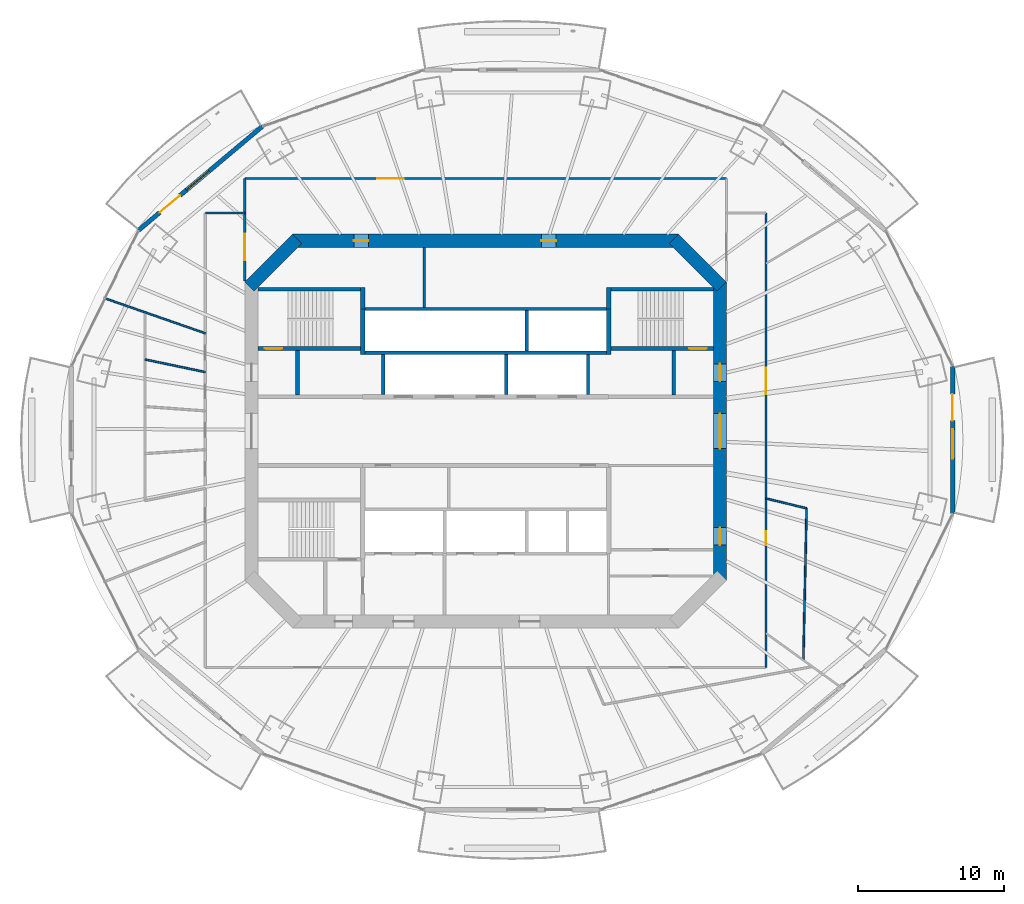
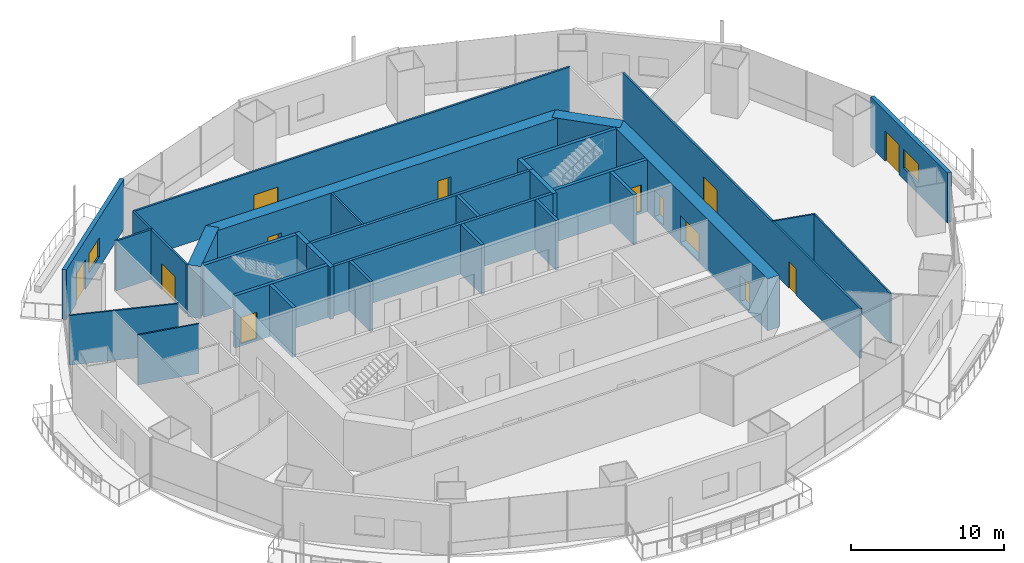
# One storey, part 12 of 19: 31 walls, 13 doors, 2 windows, 15 openings.
"""IFC4 building model written with IfcOpenShell, lengths in metres."""

import ifcopenshell
import ifcopenshell.guid

model = None  # the IFC model being written
_history = None  # IfcOwnerHistory: only IFC2X3 demands one
_inside = {}  # id of a spatial element -> (the spatial element, [elements in it])
_under = {}  # id of a project, library or spatial element -> (it, [spatial elements below it])
_declared = {}  # id of a project -> (the project, [libraries it declares])
_typed = {}  # id of a type object -> (the type object, [elements of that type])
_made_of = {}  # id of a material, layer set ... -> (it, [elements and type objects made of it])


def new_model(schema):
    """Start an empty IFC model of exactly this schema.

    Asked for "IFC4X3", IfcOpenShell would pick the latest addendum, in which some entities
    have other attributes; the version numbers below select the first issue.
    IFC2X3 requires an IfcOwnerHistory on every rooted entity: one is made here for all.
    """
    global model, _history
    if schema == "IFC4X3":
        model = ifcopenshell.file(schema_version=(4, 3, 0, 0))
    else:
        model = ifcopenshell.file(schema=schema)
    _inside.clear()
    _under.clear()
    _declared.clear()
    _typed.clear()
    _made_of.clear()
    _history = None
    if model.schema == "IFC2X3":
        org = make("IfcOrganization", Name="unknown")
        user = make(
            "IfcPersonAndOrganization",
            ThePerson=make("IfcPerson", FamilyName="unknown"),
            TheOrganization=org,
        )
        app = make(
            "IfcApplication",
            ApplicationDeveloper=org,
            Version="unknown",
            ApplicationFullName="unknown",
            ApplicationIdentifier="unknown",
        )
        _history = make(
            "IfcOwnerHistory",
            OwningUser=user,
            OwningApplication=app,
            ChangeAction="ADDED",
            CreationDate=0,
        )
    return model


def make(cls, **values):
    """One entity of the class cls with the attributes given. An attribute that is None is left unset."""
    return model.create_entity(
        cls, **{name: value for name, value in values.items() if value is not None}
    )


def rooted(cls, **values):
    """An entity with a GlobalId (a new one), such as an element, a storey or a relation."""
    return make(cls, GlobalId=ifcopenshell.guid.new(), OwnerHistory=_history, **values)


def si_unit(unit_type, name, prefix=None):
    """IfcSIUnit, for example si_unit("LENGTHUNIT", "METRE", prefix="MILLI")."""
    return make("IfcSIUnit", UnitType=unit_type, Prefix=prefix, Name=name)


def assignment(units):
    """IfcUnitAssignment: the units of a project."""
    return None if units is None else make("IfcUnitAssignment", Units=units)


def point(xyz):
    """IfcCartesianPoint."""
    return None if xyz is None else make("IfcCartesianPoint", Coordinates=xyz)


def direction(xyz):
    """IfcDirection."""
    return None if xyz is None else make("IfcDirection", DirectionRatios=xyz)


def frame(location, z_axis=None, x_axis=None):
    """IfcAxis2Placement3D, a coordinate frame: its origin and axes. An axis left out is left unset."""
    return make(
        "IfcAxis2Placement3D",
        Location=point(location),
        Axis=direction(z_axis),
        RefDirection=direction(x_axis),
    )


def frame_2d(location, x_axis=None):
    """IfcAxis2Placement2D, a coordinate frame in the plane: its origin and x axis."""
    return make(
        "IfcAxis2Placement2D", Location=point(location), RefDirection=direction(x_axis)
    )


def origin():
    """The frame at (0, 0, 0) with its axes left unset."""
    return frame((0.0, 0.0, 0.0))


def place(relative_to, where):
    """IfcLocalPlacement: puts the frame where relative to a parent placement (None: the world)."""
    return make(
        "IfcLocalPlacement", PlacementRelTo=relative_to, RelativePlacement=where
    )


def context(
    kind, dimensions, precision=None, world=None, true_north=None, identifier=None
):
    """IfcGeometricRepresentationContext, for example the 3D "Model" context."""
    return make(
        "IfcGeometricRepresentationContext",
        ContextIdentifier=identifier,
        ContextType=kind,
        CoordinateSpaceDimension=dimensions,
        Precision=precision,
        WorldCoordinateSystem=world,
        TrueNorth=true_north,
    )


def subcontext(parent, identifier, kind, view, scale=None):
    """IfcGeometricRepresentationSubContext, for example "Body" below "Model"."""
    return make(
        "IfcGeometricRepresentationSubContext",
        ContextIdentifier=identifier,
        ContextType=kind,
        ParentContext=parent,
        TargetScale=scale,
        TargetView=view,
    )


def project(units=None, contexts=None):
    """IfcProject with its units and contexts."""
    return rooted(
        "IfcProject",
        Name="project",
        RepresentationContexts=contexts,
        UnitsInContext=assignment(units),
    )


def spatial(cls, under=None, at=None, **own):
    """A site, building, storey or space (cls), placed at a placement, below another one or the project."""
    s = rooted(cls, ObjectPlacement=at, **own)
    if under is not None:
        _under.setdefault(under.id(), (under, []))[1].append(s)
    return s


def profile(cls, at=None, kind="AREA", **sizes):
    """A parametric profile (cls). Its sizes go by their IFC names, for example OverallWidth=200.0."""
    return make(cls, ProfileType=kind, Position=at, **sizes)


def rectangle(**sizes):
    """IfcRectangleProfileDef."""
    return profile("IfcRectangleProfileDef", **sizes)


def extrude(swept, where, along, depth):
    """IfcExtrudedAreaSolid: the profile swept, set in the frame where, extruded along a direction by depth."""
    return make(
        "IfcExtrudedAreaSolid",
        SweptArea=swept,
        Position=where,
        ExtrudedDirection=direction(along),
        Depth=depth,
    )


def shape(context_of_items, identifier, shape_type, items):
    """IfcShapeRepresentation: the items that make up one representation, for example the "Body"."""
    return make(
        "IfcShapeRepresentation",
        ContextOfItems=context_of_items,
        RepresentationIdentifier=identifier,
        RepresentationType=shape_type,
        Items=items,
    )


def material(Name=None, Category=None):
    """IfcMaterial."""
    return make("IfcMaterial", Name=Name, Category=Category)


def layer(
    of_material, thickness, ventilated=None, Name=None, Category=None, Priority=None
):
    """IfcMaterialLayer: one layer of a wall or slab, of a material (None: an air gap)."""
    return make(
        "IfcMaterialLayer",
        Material=of_material,
        LayerThickness=thickness,
        IsVentilated=ventilated,
        Name=Name,
        Category=Category,
        Priority=Priority,
    )


def layer_set(layers, Name=None):
    """IfcMaterialLayerSet."""
    return make("IfcMaterialLayerSet", MaterialLayers=layers, LayerSetName=Name)


def made_of(thing, what):
    """Note that an element or type object is made of a material, layer set ...; save() writes the relation."""
    if what is not None:
        _made_of.setdefault(what.id(), (what, []))[1].append(thing)
    return thing


def type_object(cls, material=None, **own):
    """A type object (cls), such as IfcWallType, which elements share."""
    return made_of(rooted(cls, **own), material)


def element(
    cls,
    number,
    at=None,
    inside=None,
    cuts=None,
    type_object=None,
    material=None,
    context=None,
    identifier="Body",
    shape_type=None,
    held_by="IfcProductDefinitionShape",
    body=None,
    shapes=None,
    **own,
):
    """One element of the class cls, such as IfcWall. Its Tag is "e" and its number.

    at: its placement. inside: the storey or other place that contains it. cuts: it is an
    opening in that element (IfcRelVoidsElement). A single representation is given by context,
    identifier, shape_type and body (its items); several are given by shapes. held_by: the class
    of the entity that holds the representations. save() writes the other relations.
    """
    e = rooted(cls, Tag="e%d" % number, ObjectPlacement=at, **own)
    if body is not None:
        shapes = [shape(context, identifier, shape_type, body)]
    if shapes is not None:
        e.Representation = make(held_by, Representations=shapes)
    if inside is not None:
        _inside.setdefault(inside.id(), (inside, []))[1].append(e)
    if cuts is not None:
        rooted(
            "IfcRelVoidsElement", RelatingBuildingElement=cuts, RelatedOpeningElement=e
        )
    if type_object is not None:
        _typed.setdefault(type_object.id(), (type_object, []))[1].append(e)
    return made_of(e, material)


def fill(opening, filler):
    """IfcRelFillsElement: the door or window that sits in an opening."""
    return rooted(
        "IfcRelFillsElement",
        RelatingOpeningElement=opening,
        RelatedBuildingElement=filler,
    )


def aggregate(whole, parts):
    """IfcRelAggregates: a whole, such as a stair, and the parts it consists of."""
    return rooted("IfcRelAggregates", RelatingObject=whole, RelatedObjects=parts)


def save(model, path):
    """Write the relations noted so far, then the file.

    IfcRelAggregates (storeys below a building ...), IfcRelContainedInSpatialStructure (elements
    in a storey), IfcRelDefinesByType, IfcRelAssociatesMaterial and IfcRelDeclares: one each for
    every whole, place, type object, material and project.
    """
    for whole, parts in _under.values():
        aggregate(whole, parts)
    for where, things in _inside.values():
        rooted(
            "IfcRelContainedInSpatialStructure",
            RelatedElements=things,
            RelatingStructure=where,
        )
    for kind, things in _typed.values():
        rooted("IfcRelDefinesByType", RelatedObjects=things, RelatingType=kind)
    for what, things in _made_of.values():
        rooted("IfcRelAssociatesMaterial", RelatedObjects=things, RelatingMaterial=what)
    for by, libraries in _declared.values():
        rooted("IfcRelDeclares", RelatingContext=by, RelatedDefinitions=libraries)
    model.write(path)


model = new_model("IFC4")

# Units and contexts
model_context = context("Model", 3, precision=1e-05, world=origin(), true_north=direction((0.0, 1.0)))
body_context = subcontext(model_context, "Body", "Model", "MODEL_VIEW")
ifc_project = project(units=[si_unit("LENGTHUNIT", "METRE"), si_unit("AREAUNIT", "SQUARE_METRE"), si_unit("VOLUMEUNIT", "CUBIC_METRE"), si_unit("PLANEANGLEUNIT", "RADIAN"), si_unit("MASSUNIT", "GRAM", prefix="KILO")], contexts=[model_context])

# Site, building, storey
site_placement = place(None, origin())
site = spatial("IfcSite", under=ifc_project, at=site_placement, CompositionType="ELEMENT")
building_placement = place(site_placement, origin())
building = spatial("IfcBuilding", under=site, at=building_placement, Name="Marenthal Gate Tower", CompositionType="ELEMENT")
storey_placement = place(building_placement, frame((0.0, 0.0, 223.300048828125)))
storey = spatial("IfcBuildingStorey", under=building, at=storey_placement, Name="L49", CompositionType="ELEMENT", Elevation=223.300048828125)

# Wall, openings, doors
ifc_material_1 = material(Name="Concrete 60 MPa", Category="concrete")
ifc_layer_1 = layer(ifc_material_1, 0.89990234375)
ifc_layer_set_1 = layer_set([ifc_layer_1], Name="Core shear wall 900")
wall_type_1 = type_object("IfcWallType", Name="Core shear wall 900", PredefinedType="SHEAR", material=ifc_layer_set_1)
wall_1_placement = place(storey_placement, frame((16.0, -10.186279296875, -0.179931640625), z_axis=(0.0, 0.0, 1.0), x_axis=(0.0, 1.0, 0.0)))
wall_1 = element("IfcWall", 1, at=wall_1_placement, inside=storey, type_object=wall_type_1, Name="Core wall 02", PredefinedType="SHEAR", context=body_context, shape_type="SweptSolid", body=[
    extrude(rectangle(XDim=20.37255859375, YDim=0.89990234375, at=frame_2d((10.186279296875, 0.0))), origin(), (0.0, 0.0, 1.0), 4.14990234375),
])
opening_1_placement = place(wall_1_placement, frame((8.986328125, 0.0, 0.179931640625)))
opening_1 = element("IfcOpeningElement", 2, at=opening_1_placement, cuts=wall_1, Name="Opening D003.02", PredefinedType="OPENING", context=body_context, shape_type="SweptSolid", body=[
    extrude(rectangle(XDim=2.39990234375, YDim=2.10009765625, at=frame_2d((1.199951171875, 1.050048828125))), frame((0.0, 0.4599609375, 0.0), z_axis=(0.0, -1.0, 0.0), x_axis=(1.0, 0.0, 0.0)), (0.0, 0.0, 1.0), 0.919921875),
])
opening_2_placement = place(wall_1_placement, frame((13.58642578125, 0.0, 0.179931640625)))
opening_2 = element("IfcOpeningElement", 3, at=opening_2_placement, cuts=wall_1, Name="Opening D001.05", PredefinedType="OPENING", context=body_context, shape_type="SweptSolid", body=[
    extrude(rectangle(XDim=1.199951171875, YDim=2.10009765625, at=frame_2d((0.60009765625, 1.050048828125))), frame((0.0, 0.4599609375, 0.0), z_axis=(0.0, -1.0, 0.0), x_axis=(1.0, 0.0, 0.0)), (0.0, 0.0, 1.0), 0.919921875),
])
opening_3_placement = place(wall_1_placement, frame((2.39990234375, 0.0, 0.179931640625)))
opening_3 = element("IfcOpeningElement", 4, at=opening_3_placement, cuts=wall_1, Name="Opening D006.01", PredefinedType="OPENING", context=body_context, shape_type="SweptSolid", body=[
    extrude(rectangle(XDim=1.199951171875, YDim=2.10009765625, at=frame_2d((0.60009765625, 1.050048828125))), frame((0.0, 0.4599609375, 0.0), z_axis=(0.0, -1.0, 0.0), x_axis=(1.0, 0.0, 0.0)), (0.0, 0.0, 1.0), 0.919921875),
])
ifc_material_2 = material(Name="Steel fire door", Category="steel")
door_type_1 = type_object("IfcDoorType", Name="Double fire door FD 45 2400 x 2100", OperationType="DOUBLE_DOOR_SINGLE_SWING", PredefinedType="DOOR", material=ifc_material_2)
door_1_placement = place(opening_1_placement, origin())
door_1 = element("IfcDoor", 5, at=door_1_placement, inside=storey, type_object=door_type_1, Name="Door D003.02", OperationType="DOUBLE_DOOR_SINGLE_SWING", OverallHeight=2.10009765625, OverallWidth=2.39990234375, PredefinedType="DOOR", context=body_context, shape_type="SweptSolid", body=[
    extrude(rectangle(XDim=2.39990234375, YDim=2.10009765625, at=frame_2d((1.199951171875, 1.050048828125))), frame((0.0, 0.02490234375, 0.0), z_axis=(0.0, -1.0, 0.0), x_axis=(1.0, 0.0, 0.0)), (0.0, 0.0, 1.0), 0.050048828125),
])
fill(opening_1, door_1)
ifc_material_3 = material(Name="Steel fire door", Category="steel")
door_type_2 = type_object("IfcDoorType", Name="Fire door FD 45 1200 x 2100", OperationType="NOTDEFINED", PredefinedType="DOOR", material=ifc_material_3)
door_2_placement = place(opening_3_placement, origin())
door_2 = element("IfcDoor", 6, at=door_2_placement, inside=storey, type_object=door_type_2, Name="Door D006.01", OperationType="SINGLE_SWING_RIGHT", OverallHeight=2.10009765625, OverallWidth=1.199951171875, PredefinedType="DOOR", context=body_context, shape_type="SweptSolid", body=[
    extrude(rectangle(XDim=1.199951171875, YDim=2.10009765625, at=frame_2d((0.60009765625, 1.050048828125))), frame((0.0, 0.02490234375, 0.0), z_axis=(0.0, -1.0, 0.0), x_axis=(1.0, 0.0, 0.0)), (0.0, 0.0, 1.0), 0.050048828125),
])
fill(opening_3, door_2)
ifc_material_4 = material(Name="Steel fire door", Category="steel")
door_type_3 = type_object("IfcDoorType", Name="Fire door FD 90 1200 x 2100", OperationType="NOTDEFINED", PredefinedType="DOOR", material=ifc_material_4)
door_3_placement = place(opening_2_placement, origin())
door_3 = element("IfcDoor", 7, at=door_3_placement, inside=storey, type_object=door_type_3, Name="Door D001.05", OperationType="SINGLE_SWING_RIGHT", OverallHeight=2.10009765625, OverallWidth=1.199951171875, PredefinedType="DOOR", context=body_context, shape_type="SweptSolid", body=[
    extrude(rectangle(XDim=1.199951171875, YDim=2.10009765625, at=frame_2d((0.60009765625, 1.050048828125))), frame((0.0, 0.02490234375, 0.0), z_axis=(0.0, -1.0, 0.0), x_axis=(1.0, 0.0, 0.0)), (0.0, 0.0, 1.0), 0.050048828125),
])
fill(opening_2, door_3)

# Wall
wall_2_placement = place(storey_placement, frame((16.1318359375, 9.8681640625, -0.179931640625), z_axis=(0.0, 0.0, 1.0), x_axis=(-0.707106781187, 0.707106781187, 0.0)))
element("IfcWall", 8, at=wall_2_placement, inside=storey, type_object=wall_type_1, Name="Core wall 03", PredefinedType="SHEAR", context=body_context, shape_type="SweptSolid", body=[
    extrude(rectangle(XDim=4.615478515625, YDim=0.89990234375, at=frame_2d((2.3076171875, 0.0))), origin(), (0.0, 0.0, 1.0), 4.14990234375),
])

# Wall, openings, doors
wall_3_placement = place(storey_placement, frame((13.186279296875, 13.0, -0.179931640625), z_axis=(0.0, 0.0, 1.0), x_axis=(-1.0, 0.0, 0.0)))
wall_3 = element("IfcWall", 9, at=wall_3_placement, inside=storey, type_object=wall_type_1, Name="Core wall 04", PredefinedType="SHEAR", context=body_context, shape_type="SweptSolid", body=[
    extrude(rectangle(XDim=26.37255859375, YDim=0.89990234375, at=frame_2d((13.186279296875, 0.0))), origin(), (0.0, 0.0, 1.0), 4.14990234375),
])
opening_4_placement = place(wall_3_placement, frame((21.193359375, 0.0, 0.179931640625)))
opening_4 = element("IfcOpeningElement", 10, at=opening_4_placement, cuts=wall_3, Name="Opening D005.03", PredefinedType="OPENING", context=body_context, shape_type="SweptSolid", body=[
    extrude(rectangle(XDim=1.0, YDim=2.10009765625, at=frame_2d((0.5, 1.050048828125))), frame((0.0, 0.4599609375, 0.0), z_axis=(0.0, -1.0, 0.0), x_axis=(1.0, 0.0, 0.0)), (0.0, 0.0, 1.0), 0.919921875),
])
opening_5_placement = place(wall_3_placement, frame((8.37939453125, 0.0, 0.179931640625)))
opening_5 = element("IfcOpeningElement", 11, at=opening_5_placement, cuts=wall_3, Name="Opening D005.04", PredefinedType="OPENING", context=body_context, shape_type="SweptSolid", body=[
    extrude(rectangle(XDim=1.0, YDim=2.10009765625, at=frame_2d((0.5, 1.050048828125))), frame((0.0, 0.4599609375, 0.0), z_axis=(0.0, -1.0, 0.0), x_axis=(1.0, 0.0, 0.0)), (0.0, 0.0, 1.0), 0.919921875),
])
ifc_material_5 = material(Name="Steel fire door", Category="steel")
door_type_4 = type_object("IfcDoorType", Name="Fire door FD 45 1000 x 2100", OperationType="NOTDEFINED", PredefinedType="DOOR", material=ifc_material_5)
door_4_placement = place(opening_4_placement, origin())
door_4 = element("IfcDoor", 12, at=door_4_placement, inside=storey, type_object=door_type_4, Name="Door D005.03", OperationType="SINGLE_SWING_RIGHT", OverallHeight=2.10009765625, OverallWidth=1.0, PredefinedType="DOOR", context=body_context, shape_type="SweptSolid", body=[
    extrude(rectangle(XDim=1.0, YDim=2.10009765625, at=frame_2d((0.5, 1.050048828125))), frame((0.0, 0.02490234375, 0.0), z_axis=(0.0, -1.0, 0.0), x_axis=(1.0, 0.0, 0.0)), (0.0, 0.0, 1.0), 0.050048828125),
])
fill(opening_4, door_4)
door_5_placement = place(opening_5_placement, origin())
door_5 = element("IfcDoor", 13, at=door_5_placement, inside=storey, type_object=door_type_4, Name="Door D005.04", OperationType="SINGLE_SWING_RIGHT", OverallHeight=2.10009765625, OverallWidth=1.0, PredefinedType="DOOR", context=body_context, shape_type="SweptSolid", body=[
    extrude(rectangle(XDim=1.0, YDim=2.10009765625, at=frame_2d((0.5, 1.050048828125))), frame((0.0, 0.02490234375, 0.0), z_axis=(0.0, -1.0, 0.0), x_axis=(1.0, 0.0, 0.0)), (0.0, 0.0, 1.0), 0.050048828125),
])
fill(opening_5, door_5)

# Walls
wall_4_placement = place(storey_placement, frame((-12.8681640625, 13.1318359375, -0.179931640625), z_axis=(0.0, 0.0, 1.0), x_axis=(-0.707106781187, -0.707106781187, 0.0)))
element("IfcWall", 14, at=wall_4_placement, inside=storey, type_object=wall_type_1, Name="Core wall 05", PredefinedType="SHEAR", context=body_context, shape_type="SweptSolid", body=[
    extrude(rectangle(XDim=4.615478515625, YDim=0.89990234375, at=frame_2d((2.3076171875, 0.0))), origin(), (0.0, 0.0, 1.0), 4.14990234375),
])
ifc_material_6 = material(Name="Concrete 50 MPa", Category="concrete")
ifc_layer_2 = layer(ifc_material_6, 0.300048828125)
ifc_layer_set_2 = layer_set([ifc_layer_2], Name="Hoistway shear wall 300")
wall_type_2 = type_object("IfcWallType", Name="Hoistway shear wall 300", PredefinedType="SHEAR", material=ifc_layer_set_2)
for number, where, z_axis, x_axis, name in (
    (15, (-8.39990234375, 5.239990234375, -0.179931640625), (0.0, 0.0, 1.0), (0.0, 1.0, 0.0), "Hoistway wall 32"),
    (16, (8.39990234375, 5.239990234375, -0.179931640625), (0.0, 0.0, 1.0), (0.0, 1.0, 0.0), "Hoistway wall 46"),
):
    element("IfcWall", number, at=place(storey_placement, frame(where, z_axis=z_axis, x_axis=x_axis)), inside=storey, type_object=wall_type_2, Name=name, PredefinedType="SHEAR", context=body_context, shape_type="SweptSolid", body=[
        extrude(rectangle(XDim=3.110107421875, YDim=0.300048828125, at=frame_2d((1.55517578125, 0.0))), origin(), (0.0, 0.0, 1.0), 4.14990234375),
    ])
ifc_material_7 = material(Name="Concrete 40 MPa", Category="concrete")
ifc_layer_3 = layer(ifc_material_7, 0.219970703125)
ifc_layer_set_3 = layer_set([ifc_layer_3], Name="Hoistway wall 220")
wall_type_3 = type_object("IfcWallType", Name="Hoistway wall 220", PredefinedType="STANDARD", material=ifc_layer_set_3)
for number, where, z_axis, x_axis, name in (
    (17, (-8.25, 5.35009765625, 0.0), (0.0, 0.0, 1.0), (1.0, 0.0, 0.0), "Hoistway wall 22"),
    (18, (-8.25, 8.35009765625, 0.0), (0.0, 0.0, 1.0), (1.0, 0.0, 0.0), "Hoistway wall 25"),
):
    element("IfcWall", number, at=place(storey_placement, frame(where, z_axis=z_axis, x_axis=x_axis)), inside=storey, type_object=wall_type_3, Name=name, PredefinedType="STANDARD", context=body_context, shape_type="SweptSolid", body=[
        extrude(rectangle(XDim=16.5, YDim=0.219970703125, at=frame_2d((8.25, 0.0))), origin(), (0.0, 0.0, 1.0), 3.969970703125),
    ])
for number, where, z_axis, x_axis, name in (
    (19, (-7.0, 2.5, 0.0), (0.0, 0.0, 1.0), (0.0, 1.0, 0.0), "Hoistway wall 34"),
    (20, (1.39990234375, 2.5, 0.0), (0.0, 0.0, 1.0), (0.0, 1.0, 0.0), "Hoistway wall 39"),
):
    element("IfcWall", number, at=place(storey_placement, frame(where, z_axis=z_axis, x_axis=x_axis)), inside=storey, type_object=wall_type_3, Name=name, PredefinedType="STANDARD", context=body_context, shape_type="SweptSolid", body=[
        extrude(rectangle(XDim=2.739990234375, YDim=0.219970703125, at=frame_2d((1.3701171875, 0.0))), origin(), (0.0, 0.0, 1.0), 3.969970703125),
    ])
wall_5_placement = place(storey_placement, frame((2.800048828125, 5.4599609375, 0.0), z_axis=(0.0, 0.0, 1.0), x_axis=(0.0, 1.0, 0.0)))
element("IfcWall", 21, at=wall_5_placement, inside=storey, type_object=wall_type_3, Name="Hoistway wall 41", PredefinedType="STANDARD", context=body_context, shape_type="SweptSolid", body=[
    extrude(rectangle(XDim=2.780029296875, YDim=0.219970703125, at=frame_2d((1.39013671875, 0.0))), origin(), (0.0, 0.0, 1.0), 3.969970703125),
])
wall_6_placement = place(storey_placement, frame((7.0, 2.5, 0.0), z_axis=(0.0, 0.0, 1.0), x_axis=(0.0, 1.0, 0.0)))
element("IfcWall", 22, at=wall_6_placement, inside=storey, type_object=wall_type_3, Name="Hoistway wall 43", PredefinedType="STANDARD", context=body_context, shape_type="SweptSolid", body=[
    extrude(rectangle(XDim=2.739990234375, YDim=0.219970703125, at=frame_2d((1.3701171875, 0.0))), origin(), (0.0, 0.0, 1.0), 3.969970703125),
])
ifc_material_8 = material(Name="Gypsum board on steel studs", Category="steel")
ifc_layer_4 = layer(ifc_material_8, 0.1201171875)
ifc_layer_set_4 = layer_set([ifc_layer_4], Name="Partition 120")
wall_type_4 = type_object("IfcWallType", Name="Partition 120", PredefinedType="PARTITIONING", material=ifc_layer_set_4)
wall_7_placement = place(storey_placement, frame((-23.264404296875, 4.8974609375, 0.0), z_axis=(0.0, 0.0, 1.0), x_axis=(0.978549784987, -0.20601048105, 0.0)))
element("IfcWall", 23, at=wall_7_placement, inside=storey, type_object=wall_type_4, Name="Partition wall 52", PredefinedType="PARTITIONING", context=body_context, shape_type="SweptSolid", body=[
    extrude(rectangle(XDim=4.20458984375, YDim=0.1201171875, at=frame_2d((2.102294921875, 0.0))), origin(), (0.0, 0.0, 1.0), 3.969970703125),
])
wall_8_placement = place(storey_placement, frame((-19.14990234375, 6.678955078125, 0.0), z_axis=(0.0, 0.0, 1.0), x_axis=(-0.944229354423, 0.329288515205, 0.0)))
element("IfcWall", 24, at=wall_8_placement, inside=storey, type_object=wall_type_4, Name="Partition wall 56", PredefinedType="PARTITIONING", context=body_context, shape_type="SweptSolid", body=[
    extrude(rectangle(XDim=7.26220703125, YDim=0.1201171875, at=frame_2d((3.631103515625, 0.0))), origin(), (0.0, 0.0, 1.0), 3.969970703125),
])
wall_9_placement = place(storey_placement, frame((21.701416015625, -15.646728515625, 0.0), z_axis=(0.0, 0.0, 1.0), x_axis=(0.021402327954, 0.999770943946, 0.0)))
element("IfcWall", 25, at=wall_9_placement, inside=storey, type_object=wall_type_4, Name="Partition wall 68", PredefinedType="PARTITIONING", context=body_context, shape_type="SweptSolid", body=[
    extrude(rectangle(XDim=10.380615234375, YDim=0.1201171875, at=frame_2d((5.1904296875, 0.0))), origin(), (0.0, 0.0, 1.0), 3.969970703125),
])
wall_10_placement = place(storey_placement, frame((21.923583984375, -5.2685546875, 0.0), z_axis=(0.0, 0.0, 1.0), x_axis=(-0.972322007638, 0.233644844719, 0.0)))
element("IfcWall", 26, at=wall_10_placement, inside=storey, type_object=wall_type_4, Name="Partition wall 69", PredefinedType="PARTITIONING", context=body_context, shape_type="SweptSolid", body=[
    extrude(rectangle(XDim=2.8525390625, YDim=0.1201171875, at=frame_2d((1.42626953125, 0.0))), origin(), (0.0, 0.0, 1.0), 3.969970703125),
])
ifc_material_9 = material(Name="Gypsum board on steel studs", Category="steel")
ifc_layer_5 = layer(ifc_material_9, 0.14990234375)
ifc_layer_set_5 = layer_set([ifc_layer_5], Name="Partition 150")
wall_type_5 = type_object("IfcWallType", Name="Partition 150", PredefinedType="PARTITIONING", material=ifc_layer_set_5)
wall_11_placement = place(storey_placement, frame((-4.199951171875, 8.4599609375, 0.0), z_axis=(0.0, 0.0, 1.0), x_axis=(0.0, 1.0, 0.0)))
element("IfcWall", 27, at=wall_11_placement, inside=storey, type_object=wall_type_5, Name="Partition wall 35", PredefinedType="PARTITIONING", context=body_context, shape_type="SweptSolid", body=[
    extrude(rectangle(XDim=4.090087890625, YDim=0.14990234375, at=frame_2d((2.044921875, 0.0))), origin(), (0.0, 0.0, 1.0), 3.969970703125),
])
wall_12_placement = place(storey_placement, frame((-19.14990234375, 14.89990234375, 0.0), z_axis=(0.0, 0.0, 1.0), x_axis=(1.0, 0.0, 0.0)))
element("IfcWall", 28, at=wall_12_placement, inside=storey, type_object=wall_type_5, Name="Partition wall 57", PredefinedType="PARTITIONING", context=body_context, shape_type="SweptSolid", body=[
    extrude(rectangle(XDim=2.699951171875, YDim=0.14990234375, at=frame_2d((1.35009765625, 0.0))), origin(), (0.0, 0.0, 1.0), 3.969970703125),
])

# Wall, opening, door
wall_13_placement = place(storey_placement, frame((-16.449951171875, 10.25, 0.0), z_axis=(0.0, 0.0, 1.0), x_axis=(0.0, 1.0, 0.0)))
wall_13 = element("IfcWall", 29, at=wall_13_placement, inside=storey, type_object=wall_type_5, Name="Partition wall 58", PredefinedType="PARTITIONING", context=body_context, shape_type="SweptSolid", body=[
    extrude(rectangle(XDim=7.010986328125, YDim=0.14990234375, at=frame_2d((3.50537109375, 0.0))), origin(), (0.0, 0.0, 1.0), 3.969970703125),
])
opening_6_placement = place(wall_13_placement, frame((1.425048828125, 0.0, 0.0)))
opening_6 = element("IfcOpeningElement", 30, at=opening_6_placement, cuts=wall_13, Name="Opening D014.04", PredefinedType="OPENING", context=body_context, shape_type="SweptSolid", body=[
    extrude(rectangle(XDim=1.800048828125, YDim=2.10009765625, at=frame_2d((0.89990234375, 1.050048828125))), frame((0.0, 0.0849609375, 0.0), z_axis=(0.0, -1.0, 0.0), x_axis=(1.0, 0.0, 0.0)), (0.0, 0.0, 1.0), 0.169921875),
])
ifc_material_10 = material(Name="Timber door", Category="wood")
door_type_5 = type_object("IfcDoorType", Name="Double door 1800 x 2100", OperationType="DOUBLE_DOOR_SINGLE_SWING", PredefinedType="DOOR", material=ifc_material_10)
door_6_placement = place(opening_6_placement, origin())
door_6 = element("IfcDoor", 31, at=door_6_placement, inside=storey, type_object=door_type_5, Name="Door D014.04", OperationType="DOUBLE_DOOR_SINGLE_SWING", OverallHeight=2.10009765625, OverallWidth=1.800048828125, PredefinedType="DOOR", context=body_context, shape_type="SweptSolid", body=[
    extrude(rectangle(XDim=1.800048828125, YDim=2.10009765625, at=frame_2d((0.89990234375, 1.050048828125))), frame((0.0, 0.02490234375, 0.0), z_axis=(0.0, -1.0, 0.0), x_axis=(1.0, 0.0, 0.0)), (0.0, 0.0, 1.0), 0.050048828125),
])
fill(opening_6, door_6)

wall_14_placement = place(storey_placement, frame((-16.449951171875, 17.260986328125, 0.0), z_axis=(0.0, 0.0, 1.0), x_axis=(1.0, 0.0, 0.0)))
wall_14 = element("IfcWall", 32, at=wall_14_placement, inside=storey, type_object=wall_type_5, Name="Partition wall 59", PredefinedType="PARTITIONING", context=body_context, shape_type="SweptSolid", body=[
    extrude(rectangle(XDim=32.89990234375, YDim=0.14990234375, at=frame_2d((16.449951171875, 0.0))), origin(), (0.0, 0.0, 1.0), 3.969970703125),
])
opening_7_placement = place(wall_14_placement, frame((9.056884765625, 0.0, 0.0)))
opening_7 = element("IfcOpeningElement", 33, at=opening_7_placement, cuts=wall_14, Name="Opening D014.01", PredefinedType="OPENING", context=body_context, shape_type="SweptSolid", body=[
    extrude(rectangle(XDim=1.800048828125, YDim=2.10009765625, at=frame_2d((0.89990234375, 1.050048828125))), frame((0.0, 0.0849609375, 0.0), z_axis=(0.0, -1.0, 0.0), x_axis=(1.0, 0.0, 0.0)), (0.0, 0.0, 1.0), 0.169921875),
])
door_7_placement = place(opening_7_placement, origin())
door_7 = element("IfcDoor", 34, at=door_7_placement, inside=storey, type_object=door_type_5, Name="Door D014.01", OperationType="DOUBLE_DOOR_SINGLE_SWING", OverallHeight=2.10009765625, OverallWidth=1.800048828125, PredefinedType="DOOR", context=body_context, shape_type="SweptSolid", body=[
    extrude(rectangle(XDim=1.800048828125, YDim=2.10009765625, at=frame_2d((0.89990234375, 1.050048828125))), frame((0.0, 0.02490234375, 0.0), z_axis=(0.0, -1.0, 0.0), x_axis=(1.0, 0.0, 0.0)), (0.0, 0.0, 1.0), 0.050048828125),
])
fill(opening_7, door_7)

# Wall, openings, doors
wall_15_placement = place(storey_placement, frame((19.14990234375, 14.89990234375, 0.0), z_axis=(0.0, 0.0, 1.0), x_axis=(0.0, -1.0, 0.0)))
wall_15 = element("IfcWall", 35, at=wall_15_placement, inside=storey, type_object=wall_type_5, Name="Partition wall 67", PredefinedType="PARTITIONING", context=body_context, shape_type="SweptSolid", body=[
    extrude(rectangle(XDim=31.0498046875, YDim=0.14990234375, at=frame_2d((15.52490234375, 0.0))), origin(), (0.0, 0.0, 1.0), 3.969970703125),
])
opening_8_placement = place(wall_15_placement, frame((21.7509765625, 0.0, 0.0)))
opening_8 = element("IfcOpeningElement", 36, at=opening_8_placement, cuts=wall_15, Name="Opening D016.07", PredefinedType="OPENING", context=body_context, shape_type="SweptSolid", body=[
    extrude(rectangle(XDim=0.949951171875, YDim=2.10009765625, at=frame_2d((0.47509765625, 1.050048828125))), frame((0.0, 0.0849609375, 0.0), z_axis=(0.0, -1.0, 0.0), x_axis=(1.0, 0.0, 0.0)), (0.0, 0.0, 1.0), 0.169921875),
])
opening_9_placement = place(wall_15_placement, frame((10.575927734375, 0.0, 0.0)))
opening_9 = element("IfcOpeningElement", 37, at=opening_9_placement, cuts=wall_15, Name="Opening D014.03", PredefinedType="OPENING", context=body_context, shape_type="SweptSolid", body=[
    extrude(rectangle(XDim=1.800048828125, YDim=2.10009765625, at=frame_2d((0.89990234375, 1.050048828125))), frame((0.0, 0.0849609375, 0.0), z_axis=(0.0, -1.0, 0.0), x_axis=(1.0, 0.0, 0.0)), (0.0, 0.0, 1.0), 0.169921875),
])
ifc_material_11 = material(Name="Timber door", Category="wood")
door_type_6 = type_object("IfcDoorType", Name="Door 950 x 2100", OperationType="NOTDEFINED", PredefinedType="DOOR", material=ifc_material_11)
door_8_placement = place(opening_8_placement, origin())
door_8 = element("IfcDoor", 38, at=door_8_placement, inside=storey, type_object=door_type_6, Name="Door D016.07", OperationType="SINGLE_SWING_RIGHT", OverallHeight=2.10009765625, OverallWidth=0.949951171875, PredefinedType="DOOR", context=body_context, shape_type="SweptSolid", body=[
    extrude(rectangle(XDim=0.949951171875, YDim=2.10009765625, at=frame_2d((0.47509765625, 1.050048828125))), frame((0.0, 0.02490234375, 0.0), z_axis=(0.0, -1.0, 0.0), x_axis=(1.0, 0.0, 0.0)), (0.0, 0.0, 1.0), 0.050048828125),
])
fill(opening_8, door_8)
door_9_placement = place(opening_9_placement, origin())
door_9 = element("IfcDoor", 39, at=door_9_placement, inside=storey, type_object=door_type_5, Name="Door D014.03", OperationType="DOUBLE_DOOR_SINGLE_SWING", OverallHeight=2.10009765625, OverallWidth=1.800048828125, PredefinedType="DOOR", context=body_context, shape_type="SweptSolid", body=[
    extrude(rectangle(XDim=1.800048828125, YDim=2.10009765625, at=frame_2d((0.89990234375, 1.050048828125))), frame((0.0, 0.02490234375, 0.0), z_axis=(0.0, -1.0, 0.0), x_axis=(1.0, 0.0, 0.0)), (0.0, 0.0, 1.0), 0.050048828125),
])
fill(opening_9, door_9)

# Walls
ifc_material_12 = material(Name="Concrete 40 MPa", Category="concrete")
ifc_layer_6 = layer(ifc_material_12, 0.25)
ifc_layer_set_6 = layer_set([ifc_layer_6], Name="Stair enclosure wall 250")
wall_type_6 = type_object("IfcWallType", Name="Stair enclosure wall 250", PredefinedType="STANDARD", material=ifc_layer_set_6)
for number, where, z_axis, x_axis, name in (
    (40, (-12.85009765625, 2.47509765625, 0.0), (0.0, 0.0, 1.0), (0.0, 1.0, 0.0), "Stair wall 28"),
    (41, (12.85009765625, 2.47509765625, 0.0), (0.0, 0.0, 1.0), (0.0, 1.0, 0.0), "Stair wall 48"),
):
    element("IfcWall", number, at=place(storey_placement, frame(where, z_axis=z_axis, x_axis=x_axis)), inside=storey, type_object=wall_type_6, Name=name, PredefinedType="STANDARD", context=body_context, shape_type="SweptSolid", body=[
        extrude(rectangle(XDim=3.0498046875, YDim=0.25, at=frame_2d((1.52490234375, 0.0))), origin(), (0.0, 0.0, 1.0), 3.969970703125),
    ])

# Wall, opening, door
ifc_material_13 = material(Name="Concrete 50 MPa", Category="concrete")
ifc_layer_7 = layer(ifc_material_13, 0.25)
ifc_layer_set_7 = layer_set([ifc_layer_7], Name="Stair shear wall 250")
wall_type_7 = type_object("IfcWallType", Name="Stair shear wall 250", PredefinedType="SHEAR", material=ifc_layer_set_7)
wall_16_placement = place(storey_placement, frame((-15.550048828125, 5.64990234375, -0.179931640625), z_axis=(0.0, 0.0, 1.0), x_axis=(1.0, 0.0, 0.0)))
wall_16 = element("IfcWall", 42, at=wall_16_placement, inside=storey, type_object=wall_type_7, Name="Stair wall 23", PredefinedType="SHEAR", context=body_context, shape_type="SweptSolid", body=[
    extrude(rectangle(XDim=7.0, YDim=0.25, at=frame_2d((3.5, 0.0))), origin(), (0.0, 0.0, 1.0), 4.14990234375),
])
opening_10_placement = place(wall_16_placement, frame((0.449951171875, 0.0, 0.179931640625)))
opening_10 = element("IfcOpeningElement", 43, at=opening_10_placement, cuts=wall_16, Name="Opening D001.01", PredefinedType="OPENING", context=body_context, shape_type="SweptSolid", body=[
    extrude(rectangle(XDim=1.199951171875, YDim=2.10009765625, at=frame_2d((0.60009765625, 1.050048828125))), frame((0.0, 0.135009765625, 0.0), z_axis=(0.0, -1.0, 0.0), x_axis=(1.0, 0.0, 0.0)), (0.0, 0.0, 1.0), 0.27001953125),
])
door_10_placement = place(opening_10_placement, origin())
door_10 = element("IfcDoor", 44, at=door_10_placement, inside=storey, type_object=door_type_3, Name="Door D001.01", OperationType="SINGLE_SWING_RIGHT", OverallHeight=2.10009765625, OverallWidth=1.199951171875, PredefinedType="DOOR", context=body_context, shape_type="SweptSolid", body=[
    extrude(rectangle(XDim=1.199951171875, YDim=2.10009765625, at=frame_2d((0.60009765625, 1.050048828125))), frame((0.0, 0.02490234375, 0.0), z_axis=(0.0, -1.0, 0.0), x_axis=(1.0, 0.0, 0.0)), (0.0, 0.0, 1.0), 0.050048828125),
])
fill(opening_10, door_10)

wall_17_placement = place(storey_placement, frame((8.550048828125, 5.64990234375, -0.179931640625), z_axis=(0.0, 0.0, 1.0), x_axis=(1.0, 0.0, 0.0)))
wall_17 = element("IfcWall", 45, at=wall_17_placement, inside=storey, type_object=wall_type_7, Name="Stair wall 24", PredefinedType="SHEAR", context=body_context, shape_type="SweptSolid", body=[
    extrude(rectangle(XDim=7.0, YDim=0.25, at=frame_2d((3.5, 0.0))), origin(), (0.0, 0.0, 1.0), 4.14990234375),
])
opening_11_placement = place(wall_17_placement, frame((5.35009765625, 0.0, 0.179931640625)))
opening_11 = element("IfcOpeningElement", 46, at=opening_11_placement, cuts=wall_17, Name="Opening D001.02", PredefinedType="OPENING", context=body_context, shape_type="SweptSolid", body=[
    extrude(rectangle(XDim=1.199951171875, YDim=2.10009765625, at=frame_2d((0.60009765625, 1.050048828125))), frame((0.0, 0.135009765625, 0.0), z_axis=(0.0, -1.0, 0.0), x_axis=(1.0, 0.0, 0.0)), (0.0, 0.0, 1.0), 0.27001953125),
])
door_11_placement = place(opening_11_placement, origin())
door_11 = element("IfcDoor", 47, at=door_11_placement, inside=storey, type_object=door_type_3, Name="Door D001.02", OperationType="SINGLE_SWING_RIGHT", OverallHeight=2.10009765625, OverallWidth=1.199951171875, PredefinedType="DOOR", context=body_context, shape_type="SweptSolid", body=[
    extrude(rectangle(XDim=1.199951171875, YDim=2.10009765625, at=frame_2d((0.60009765625, 1.050048828125))), frame((0.0, 0.02490234375, 0.0), z_axis=(0.0, -1.0, 0.0), x_axis=(1.0, 0.0, 0.0)), (0.0, 0.0, 1.0), 0.050048828125),
])
fill(opening_11, door_11)

# Walls
for number, where, z_axis, x_axis, name in (
    (48, (-15.550048828125, 9.699951171875, -0.179931640625), (0.0, 0.0, 1.0), (1.0, 0.0, 0.0), "Stair wall 26"),
    (49, (8.550048828125, 9.699951171875, -0.179931640625), (0.0, 0.0, 1.0), (1.0, 0.0, 0.0), "Stair wall 27"),
):
    element("IfcWall", number, at=place(storey_placement, frame(where, z_axis=z_axis, x_axis=x_axis)), inside=storey, type_object=wall_type_7, Name=name, PredefinedType="SHEAR", context=body_context, shape_type="SweptSolid", body=[
        extrude(rectangle(XDim=7.0, YDim=0.25, at=frame_2d((3.5, 0.0))), origin(), (0.0, 0.0, 1.0), 4.14990234375),
    ])
ifc_material_14 = material(Name="Concrete 50 MPa", Category="concrete")
ifc_layer_8 = layer(ifc_material_14, 0.300048828125)
ifc_layer_set_8 = layer_set([ifc_layer_8], Name="Stair shear wall 300")
wall_type_8 = type_object("IfcWallType", Name="Stair shear wall 300", PredefinedType="SHEAR", material=ifc_layer_set_8)
for number, where, z_axis, x_axis, name in (
    (50, (-8.39990234375, 8.35009765625, -0.179931640625), (0.0, 0.0, 1.0), (0.0, 1.0, 0.0), "Stair wall 33"),
    (51, (8.39990234375, 8.35009765625, -0.179931640625), (0.0, 0.0, 1.0), (0.0, 1.0, 0.0), "Stair wall 47"),
):
    element("IfcWall", number, at=place(storey_placement, frame(where, z_axis=z_axis, x_axis=x_axis)), inside=storey, type_object=wall_type_8, Name=name, PredefinedType="SHEAR", context=body_context, shape_type="SweptSolid", body=[
        extrude(rectangle(XDim=1.474853515625, YDim=0.300048828125, at=frame_2d((0.7373046875, 0.0))), origin(), (0.0, 0.0, 1.0), 4.14990234375),
    ])

# Wall, openings, door, window
ifc_material_15 = material(Name="Terracotta cladding on insulated concrete-block backing", Category="masonry")
ifc_layer_9 = layer(ifc_material_15, 0.300048828125)
ifc_layer_set_9 = layer_set([ifc_layer_9], Name="Terracotta facade wall 300")
wall_type_9 = type_object("IfcWallType", Name="Terracotta facade wall 300", PredefinedType="SOLIDWALL", material=ifc_layer_set_9)
wall_18_placement = place(storey_placement, frame((-15.249267578125, 20.82275390625, 0.0), z_axis=(0.0, 0.0, 1.0), x_axis=(-0.765870158107, -0.642995257308, 0.0)))
wall_18 = element("IfcWall", 52, at=wall_18_placement, inside=storey, type_object=wall_type_9, Name="Terracotta facade wall L49 bay 6", PredefinedType="SOLIDWALL", context=body_context, shape_type="SweptSolid", body=[
    extrude(rectangle(XDim=11.05517578125, YDim=0.300048828125, at=frame_2d((5.527587890625, 0.0))), origin(), (0.0, 0.0, 1.0), 3.969970703125),
])
opening_12_placement = place(wall_18_placement, frame((7.355224609375, 0.0, 0.0)))
opening_12 = element("IfcOpeningElement", 53, at=opening_12_placement, cuts=wall_18, Name="Opening BD-L49-06", PredefinedType="OPENING", context=body_context, shape_type="SweptSolid", body=[
    extrude(rectangle(XDim=1.800048828125, YDim=2.39990234375, at=frame_2d((0.89990234375, 1.199951171875))), frame((0.0, 0.16015625, 0.0), z_axis=(0.0, -1.0, 0.0), x_axis=(1.0, 0.0, 0.0)), (0.0, 0.0, 1.0), 0.320068359375),
])
opening_13_placement = place(wall_18_placement, frame((4.755126953125, 0.0, 0.89990234375)))
opening_13 = element("IfcOpeningElement", 54, at=opening_13_placement, cuts=wall_18, Name="Opening WN2-L49-06", PredefinedType="OPENING", context=body_context, shape_type="SweptSolid", body=[
    extrude(rectangle(XDim=2.0, YDim=1.5, at=frame_2d((1.0, 0.75))), frame((0.0, 0.16015625, 0.0), z_axis=(0.0, -1.0, 0.0), x_axis=(1.0, 0.0, 0.0)), (0.0, 0.0, 1.0), 0.320068359375),
])
ifc_material_16 = material(Name="Aluminium and glass", Category="aluminium")
door_type_7 = type_object("IfcDoorType", Name="Balcony door 1800x2400", OperationType="DOUBLE_DOOR_SINGLE_SWING", PredefinedType="DOOR", material=ifc_material_16)
door_12_placement = place(opening_12_placement, origin())
door_12 = element("IfcDoor", 55, at=door_12_placement, inside=storey, type_object=door_type_7, Name="Balcony door L49 bay 6", OperationType="SINGLE_SWING_LEFT", OverallHeight=2.39990234375, OverallWidth=1.800048828125, PredefinedType="DOOR", context=body_context, shape_type="SweptSolid", body=[
    extrude(rectangle(XDim=1.800048828125, YDim=2.39990234375, at=frame_2d((0.89990234375, 1.199951171875))), frame((0.0, 0.02490234375, 0.0), z_axis=(0.0, -1.0, 0.0), x_axis=(1.0, 0.0, 0.0)), (0.0, 0.0, 1.0), 0.050048828125),
])
fill(opening_12, door_12)
ifc_material_17 = material(Name="Aluminium and glass", Category="aluminium")
window_type = type_object("IfcWindowType", Name="Window 2000x1500", PartitioningType="DOUBLE_PANEL_VERTICAL", PredefinedType="WINDOW", material=ifc_material_17)
window_1_placement = place(opening_13_placement, origin())
window_1 = element("IfcWindow", 56, at=window_1_placement, inside=storey, type_object=window_type, Name="Window L49 bay 6", OverallHeight=1.5, OverallWidth=2.0, PartitioningType="SINGLE_PANEL", PredefinedType="WINDOW", context=body_context, shape_type="SweptSolid", body=[
    extrude(rectangle(XDim=2.0, YDim=1.5, at=frame_2d((1.0, 0.75))), frame((0.0, 0.030029296875, 0.0), z_axis=(0.0, -1.0, 0.0), x_axis=(1.0, 0.0, 0.0)), (0.0, 0.0, 1.0), 0.06005859375),
])
fill(opening_13, window_1)

wall_19_placement = place(storey_placement, frame((31.898193359375, -5.62646484375, 0.0), z_axis=(0.0, 0.0, 1.0), x_axis=(0.0, 1.0, 0.0)))
wall_19 = element("IfcWall", 57, at=wall_19_placement, inside=storey, type_object=wall_type_9, Name="Terracotta facade wall L49 bay 16", PredefinedType="SOLIDWALL", context=body_context, shape_type="SweptSolid", body=[
    extrude(rectangle(XDim=10.052978515625, YDim=0.300048828125, at=frame_2d((5.0263671875, 0.0))), origin(), (0.0, 0.0, 1.0), 3.969970703125),
])
opening_14_placement = place(wall_19_placement, frame((6.35302734375, 0.0, 0.0)))
opening_14 = element("IfcOpeningElement", 58, at=opening_14_placement, cuts=wall_19, Name="Opening BD-L49-16", PredefinedType="OPENING", context=body_context, shape_type="SweptSolid", body=[
    extrude(rectangle(XDim=1.800048828125, YDim=2.39990234375, at=frame_2d((0.89990234375, 1.199951171875))), frame((0.0, 0.16015625, 0.0), z_axis=(0.0, -1.0, 0.0), x_axis=(1.0, 0.0, 0.0)), (0.0, 0.0, 1.0), 0.320068359375),
])
opening_15_placement = place(wall_19_placement, frame((3.7529296875, 0.0, 0.89990234375)))
opening_15 = element("IfcOpeningElement", 59, at=opening_15_placement, cuts=wall_19, Name="Opening WN2-L49-16", PredefinedType="OPENING", context=body_context, shape_type="SweptSolid", body=[
    extrude(rectangle(XDim=2.0, YDim=1.5, at=frame_2d((1.0, 0.75))), frame((0.0, 0.16015625, 0.0), z_axis=(0.0, -1.0, 0.0), x_axis=(1.0, 0.0, 0.0)), (0.0, 0.0, 1.0), 0.320068359375),
])
door_13_placement = place(opening_14_placement, origin())
door_13 = element("IfcDoor", 60, at=door_13_placement, inside=storey, type_object=door_type_7, Name="Balcony door L49 bay 16", OperationType="SINGLE_SWING_LEFT", OverallHeight=2.39990234375, OverallWidth=1.800048828125, PredefinedType="DOOR", context=body_context, shape_type="SweptSolid", body=[
    extrude(rectangle(XDim=1.800048828125, YDim=2.39990234375, at=frame_2d((0.89990234375, 1.199951171875))), frame((0.0, 0.02490234375, 0.0), z_axis=(0.0, -1.0, 0.0), x_axis=(1.0, 0.0, 0.0)), (0.0, 0.0, 1.0), 0.050048828125),
])
fill(opening_14, door_13)
window_2_placement = place(opening_15_placement, origin())
window_2 = element("IfcWindow", 61, at=window_2_placement, inside=storey, type_object=window_type, Name="Window L49 bay 16", OverallHeight=1.5, OverallWidth=2.0, PartitioningType="SINGLE_PANEL", PredefinedType="WINDOW", context=body_context, shape_type="SweptSolid", body=[
    extrude(rectangle(XDim=2.0, YDim=1.5, at=frame_2d((1.0, 0.75))), frame((0.0, 0.030029296875, 0.0), z_axis=(0.0, -1.0, 0.0), x_axis=(1.0, 0.0, 0.0)), (0.0, 0.0, 1.0), 0.06005859375),
])
fill(opening_15, window_2)

save(model, "model.ifc")
